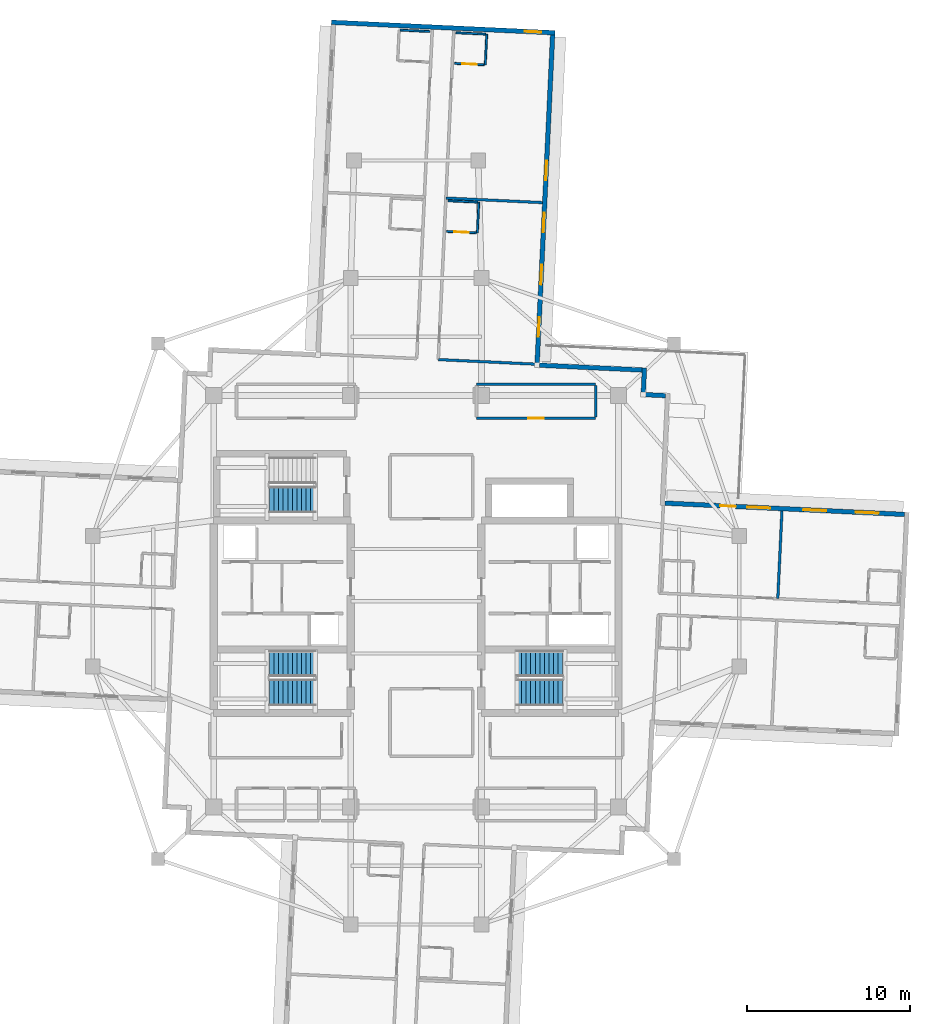
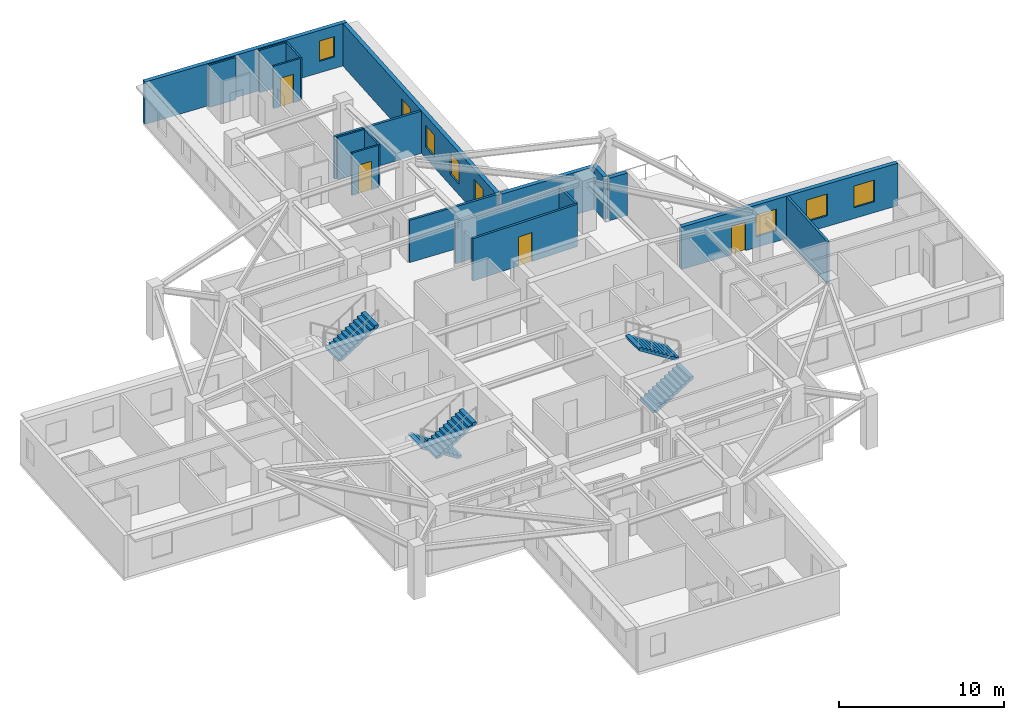
# One storey, part 8 of 13: 19 walls, 8 windows, 5 stair flights, 4 doors, 12 openings, 3 elements without a shape of their own.
"""IFC4 building model written with IfcOpenShell, lengths in metres."""

from ifc_helpers import new_model, si_unit, direction, frame, frame_2d, origin, place, context, subcontext, project, spatial, polyline, rectangle, outline, extrude, material, layer, layer_set, type_object, element, fill, aggregate, save


model = new_model("IFC4")

# Units and contexts
model_context = context("Model", 3, precision=1e-05, world=origin(), true_north=direction((0.0, 1.0)))
body_context = subcontext(model_context, "Body", "Model", "MODEL_VIEW")
ifc_project = project(units=[si_unit("LENGTHUNIT", "METRE"), si_unit("AREAUNIT", "SQUARE_METRE"), si_unit("VOLUMEUNIT", "CUBIC_METRE"), si_unit("PLANEANGLEUNIT", "RADIAN"), si_unit("MASSUNIT", "GRAM", prefix="KILO")], contexts=[model_context])

# Site, building, storey
site_placement = place(None, origin())
site = spatial("IfcSite", under=ifc_project, at=site_placement, CompositionType="ELEMENT")
building_placement = place(site_placement, origin())
building = spatial("IfcBuilding", under=site, at=building_placement, Name="Qingluan Cross Belvedere", CompositionType="ELEMENT")
storey_placement = place(building_placement, frame((0.0, 0.0, 236.39990234375)))
storey = spatial("IfcBuildingStorey", under=building, at=storey_placement, Name="L59", CompositionType="ELEMENT", Elevation=236.39990234375)

# Wall, opening, door
ifc_material_1 = material(Name="Gypsum plasterboard on steel stud acoustic partition", Category="steel")
ifc_layer_1 = layer(ifc_material_1, 0.159912109375, Name="CorridorPartition_160")
ifc_layer_set_1 = layer_set([ifc_layer_1], Name="Gypsum plasterboard on steel stud acoustic partition")
wall_type_1 = type_object("IfcWallType", Name="CorridorPartition_160", PredefinedType="PARTITIONING", material=ifc_layer_set_1)
wall_1_placement = place(storey_placement, frame((3.699951171875, 11.199951171875, 0.0), z_axis=(0.0, 0.0, 1.0), x_axis=(1.0, 0.0, 0.0)))
wall_1 = element("IfcWall", 1, at=wall_1_placement, inside=storey, type_object=wall_type_1, Name="Partition L59:q_ne:S", PredefinedType="PARTITIONING", context=body_context, shape_type="SweptSolid", body=[
    extrude(rectangle(XDim=7.300048828125, YDim=0.159912109375, at=frame_2d((3.64990234375, 0.0))), origin(), (0.0, 0.0, 1.0), 3.1201171875),
])
opening_1_placement = place(wall_1_placement, frame((3.169921875, 0.0, 0.0)))
opening_1 = element("IfcOpeningElement", 2, at=opening_1_placement, cuts=wall_1, Name="Opening GD-10", PredefinedType="OPENING", context=body_context, shape_type="SweptSolid", body=[
    extrude(rectangle(XDim=0.9599609375, YDim=2.14990234375, at=frame_2d((0.47998046875, 1.074951171875))), frame((0.0, 0.08984375, 0.0), z_axis=(0.0, -1.0, 0.0), x_axis=(1.0, 0.0, 0.0)), (0.0, 0.0, 1.0), 0.179931640625),
])
ifc_material_2 = material(Name="Timber oak fire-rated acoustic guestroom door", Category="wood")
door_type_1 = type_object("IfcDoorType", Name="GuestEntryDoor_FD60", OperationType="NOTDEFINED", PredefinedType="DOOR", material=ifc_material_2)
door_1_placement = place(opening_1_placement, origin())
door_1 = element("IfcDoor", 3, at=door_1_placement, inside=storey, type_object=door_type_1, Name="Executive dining room L59 door", OperationType="SINGLE_SWING_LEFT", OverallHeight=2.14990234375, OverallWidth=0.9599609375, PredefinedType="DOOR", context=body_context, shape_type="SweptSolid", body=[
    extrude(rectangle(XDim=0.9599609375, YDim=2.14990234375, at=frame_2d((0.47998046875, 1.074951171875))), frame((0.0, 0.02490234375, 0.0), z_axis=(0.0, -1.0, 0.0), x_axis=(1.0, 0.0, 0.0)), (0.0, 0.0, 1.0), 0.050048828125),
])
fill(opening_1, door_1)

# Walls
wall_2_placement = place(storey_placement, frame((3.699951171875, 13.300048828125, 0.0), z_axis=(0.0, 0.0, 1.0), x_axis=(1.0, 0.0, 0.0)))
element("IfcWall", 4, at=wall_2_placement, inside=storey, type_object=wall_type_1, Name="Partition L59:q_ne:N", PredefinedType="PARTITIONING", context=body_context, shape_type="SweptSolid", body=[
    extrude(rectangle(XDim=7.300048828125, YDim=0.159912109375, at=frame_2d((3.64990234375, 0.0))), origin(), (0.0, 0.0, 1.0), 3.1201171875),
])
wall_3_placement = place(storey_placement, frame((11.0, 11.284912109375, 0.0), z_axis=(0.0, 0.0, 1.0), x_axis=(0.0, 1.0, 0.0)))
element("IfcWall", 5, at=wall_3_placement, inside=storey, type_object=wall_type_1, Name="Partition L59:q_ne:E", PredefinedType="PARTITIONING", context=body_context, shape_type="SweptSolid", body=[
    extrude(rectangle(XDim=1.93017578125, YDim=0.159912109375, at=frame_2d((0.965087890625, 0.0))), origin(), (0.0, 0.0, 1.0), 3.1201171875),
])
wall_4_placement = place(storey_placement, frame((22.156005859375, 0.156494140625, 0.0), z_axis=(0.0, 0.0, 1.0), x_axis=(0.04708362643, 0.998890951066, 0.0)))
element("IfcWall", 6, at=wall_4_placement, inside=storey, type_object=wall_type_1, Name="Partition L59:E:d0_0", PredefinedType="PARTITIONING", context=body_context, shape_type="SweptSolid", body=[
    extrude(rectangle(XDim=5.371826171875, YDim=0.159912109375, at=frame_2d((2.68603515625, 0.0))), origin(), (0.0, 0.0, 1.0), 3.1201171875),
])
wall_5_placement = place(storey_placement, frame((1.35888671875, 14.802490234375, 0.0), z_axis=(0.0, 0.0, 1.0), x_axis=(0.998890358992, -0.047096185757, 0.0)))
element("IfcWall", 7, at=wall_5_placement, inside=storey, type_object=wall_type_1, Name="Partition L59:N:s0", PredefinedType="PARTITIONING", context=body_context, shape_type="SweptSolid", body=[
    extrude(rectangle(XDim=6.06005859375, YDim=0.159912109375, at=frame_2d((3.030029296875, 0.0))), origin(), (0.0, 0.0, 1.0), 3.1201171875),
])
wall_6_placement = place(storey_placement, frame((1.825439453125, 24.6962890625, 0.0), z_axis=(0.0, 0.0, 1.0), x_axis=(0.998891190356, -0.04707854957, 0.0)))
element("IfcWall", 8, at=wall_6_placement, inside=storey, type_object=wall_type_1, Name="Partition L59:N:d0_0", PredefinedType="PARTITIONING", context=body_context, shape_type="SweptSolid", body=[
    extrude(rectangle(XDim=5.911865234375, YDim=0.159912109375, at=frame_2d((2.9560546875, 0.0))), origin(), (0.0, 0.0, 1.0), 3.1201171875),
])

# Wall, opening, door
ifc_material_3 = material(Name="Moisture-resistant gypsum board lining")
ifc_layer_2 = layer(ifc_material_3, 0.1201171875, Name="EnsuiteWetPartition_120")
ifc_layer_set_2 = layer_set([ifc_layer_2], Name="Moisture-resistant gypsum board lining")
wall_type_2 = type_object("IfcWallType", Name="EnsuiteWetPartition_120", PredefinedType="PARTITIONING", material=ifc_layer_set_2)
wall_7_placement = place(storey_placement, frame((1.869140625, 22.652099609375, 0.0), z_axis=(0.0, 0.0, 1.0), x_axis=(0.998890786574, -0.047087116047, 0.0)))
wall_7 = element("IfcWall", 9, at=wall_7_placement, inside=storey, type_object=wall_type_2, Name="Partition L59:N:bs0_0", PredefinedType="PARTITIONING", context=body_context, shape_type="SweptSolid", body=[
    extrude(rectangle(XDim=1.81982421875, YDim=0.1201171875, at=frame_2d((0.909912109375, 0.0))), origin(), (0.0, 0.0, 1.0), 3.1201171875),
])
opening_2_placement = place(wall_7_placement, frame((0.469970703125, 0.0, 0.0)))
opening_2 = element("IfcOpeningElement", 10, at=opening_2_placement, cuts=wall_7, Name="Opening BD-09", PredefinedType="OPENING", context=body_context, shape_type="SweptSolid", body=[
    extrude(rectangle(XDim=0.8798828125, YDim=2.10009765625, at=frame_2d((0.43994140625, 1.050048828125))), frame((0.0, 0.070068359375, 0.0), z_axis=(0.0, -1.0, 0.0), x_axis=(1.0, 0.0, 0.0)), (0.0, 0.0, 1.0), 0.14013671875),
])
ifc_material_4 = material(Name="Moisture-sealed timber en-suite door", Category="wood")
door_type_2 = type_object("IfcDoorType", Name="BathroomDoor_880", OperationType="NOTDEFINED", PredefinedType="DOOR", material=ifc_material_4)
door_2_placement = place(opening_2_placement, origin())
door_2 = element("IfcDoor", 11, at=door_2_placement, inside=storey, type_object=door_type_2, Name="Bathroom door 5909", OperationType="SINGLE_SWING_LEFT", OverallHeight=2.10009765625, OverallWidth=0.8798828125, PredefinedType="DOOR", context=body_context, shape_type="SweptSolid", body=[
    extrude(rectangle(XDim=0.8798828125, YDim=2.10009765625, at=frame_2d((0.43994140625, 1.050048828125))), frame((0.0, 0.02490234375, 0.0), z_axis=(0.0, -1.0, 0.0), x_axis=(1.0, 0.0, 0.0)), (0.0, 0.0, 1.0), 0.050048828125),
])
fill(opening_2, door_2)

# Walls
wall_8_placement = place(storey_placement, frame((1.957763671875, 24.530029296875, 0.0), z_axis=(0.0, 0.0, 1.0), x_axis=(0.998890786574, -0.047087116047, 0.0)))
element("IfcWall", 12, at=wall_8_placement, inside=storey, type_object=wall_type_2, Name="Partition L59:N:bw0_0", PredefinedType="PARTITIONING", context=body_context, shape_type="SweptSolid", body=[
    extrude(rectangle(XDim=1.81982421875, YDim=0.1201171875, at=frame_2d((0.909912109375, 0.0))), origin(), (0.0, 0.0, 1.0), 3.1201171875),
])
wall_9_placement = place(storey_placement, frame((3.751953125, 22.563232421875, 0.0), z_axis=(0.0, 0.0, 1.0), x_axis=(0.047139425368, 0.998888319371, 0.0)))
element("IfcWall", 13, at=wall_9_placement, inside=storey, type_object=wall_type_2, Name="Partition L59:N:bn0_0", PredefinedType="PARTITIONING", context=body_context, shape_type="SweptSolid", body=[
    extrude(rectangle(XDim=1.880126953125, YDim=0.1201171875, at=frame_2d((0.93994140625, 0.0))), origin(), (0.0, 0.0, 1.0), 3.1201171875),
])

# Wall, opening, door
wall_10_placement = place(storey_placement, frame((2.3544921875, 32.94580078125, 0.0), z_axis=(0.0, 0.0, 1.0), x_axis=(0.998884766924, -0.047214641863, 0.0)))
wall_10 = element("IfcWall", 14, at=wall_10_placement, inside=storey, type_object=wall_type_2, Name="Partition L59:N:bs0_1", PredefinedType="PARTITIONING", context=body_context, shape_type="SweptSolid", body=[
    extrude(rectangle(XDim=1.820068359375, YDim=0.1201171875, at=frame_2d((0.91015625, 0.0))), origin(), (0.0, 0.0, 1.0), 3.1201171875),
])
opening_3_placement = place(wall_10_placement, frame((0.469970703125, 0.0, 0.0)))
opening_3 = element("IfcOpeningElement", 15, at=opening_3_placement, cuts=wall_10, Name="Opening BD-09", PredefinedType="OPENING", context=body_context, shape_type="SweptSolid", body=[
    extrude(rectangle(XDim=0.8798828125, YDim=2.10009765625, at=frame_2d((0.43994140625, 1.050048828125))), frame((0.0, 0.070068359375, 0.0), z_axis=(0.0, -1.0, 0.0), x_axis=(1.0, 0.0, 0.0)), (0.0, 0.0, 1.0), 0.14013671875),
])
door_3_placement = place(opening_3_placement, origin())
door_3 = element("IfcDoor", 16, at=door_3_placement, inside=storey, type_object=door_type_2, Name="Bathroom door 5910", OperationType="SINGLE_SWING_LEFT", OverallHeight=2.10009765625, OverallWidth=0.8798828125, PredefinedType="DOOR", context=body_context, shape_type="SweptSolid", body=[
    extrude(rectangle(XDim=0.8798828125, YDim=2.10009765625, at=frame_2d((0.43994140625, 1.050048828125))), frame((0.0, 0.02490234375, 0.0), z_axis=(0.0, -1.0, 0.0), x_axis=(1.0, 0.0, 0.0)), (0.0, 0.0, 1.0), 0.050048828125),
])
fill(opening_3, door_3)

# Walls
wall_11_placement = place(storey_placement, frame((2.443115234375, 34.823486328125, 0.0), z_axis=(0.0, 0.0, 1.0), x_axis=(0.998890786574, -0.047087116047, 0.0)))
element("IfcWall", 17, at=wall_11_placement, inside=storey, type_object=wall_type_2, Name="Partition L59:N:bw0_1", PredefinedType="PARTITIONING", context=body_context, shape_type="SweptSolid", body=[
    extrude(rectangle(XDim=1.81982421875, YDim=0.1201171875, at=frame_2d((0.909912109375, 0.0))), origin(), (0.0, 0.0, 1.0), 3.1201171875),
])
wall_12_placement = place(storey_placement, frame((4.237548828125, 32.85693359375, 0.0), z_axis=(0.0, 0.0, 1.0), x_axis=(0.04700985207, 0.998894425757, 0.0)))
element("IfcWall", 18, at=wall_12_placement, inside=storey, type_object=wall_type_2, Name="Partition L59:N:bn0_1", PredefinedType="PARTITIONING", context=body_context, shape_type="SweptSolid", body=[
    extrude(rectangle(XDim=1.880126953125, YDim=0.1201171875, at=frame_2d((0.93994140625, 0.0))), origin(), (0.0, 0.0, 1.0), 3.1201171875),
])
wall_13_placement = place(storey_placement, frame((-0.97314453125, 34.984619140625, 0.0), z_axis=(0.0, 0.0, 1.0), x_axis=(0.998891083954, -0.047080807099, 0.0)))
element("IfcWall", 19, at=wall_13_placement, inside=storey, type_object=wall_type_2, Name="Partition L59:N:bw1_1", PredefinedType="PARTITIONING", context=body_context, shape_type="SweptSolid", body=[
    extrude(rectangle(XDim=1.820068359375, YDim=0.1201171875, at=frame_2d((0.91015625, 0.0))), origin(), (0.0, 0.0, 1.0), 3.1201171875),
])

# Wall, openings, windows, door
ifc_material_5 = material(Name="Precast concrete C45", Category="concrete")
ifc_layer_3 = layer(ifc_material_5, 0.280029296875, Name="PrecastFacadeWall_280")
ifc_layer_set_3 = layer_set([ifc_layer_3], Name="Precast concrete C45")
wall_type_3 = type_object("IfcWallType", Name="PrecastFacadeWall_280", PredefinedType="STANDARD", material=ifc_layer_set_3)
wall_14_placement = place(storey_placement, frame((29.923583984375, 5.31640625, 0.0), z_axis=(0.0, 0.0, 1.0), x_axis=(-0.998890124275, 0.047101163748, 0.0)))
wall_14 = element("IfcWall", 20, at=wall_14_placement, inside=storey, type_object=wall_type_3, Name="Facade wall L59-EB", PredefinedType="STANDARD", context=body_context, shape_type="SweptSolid", body=[
    extrude(rectangle(XDim=14.699951171875, YDim=0.280029296875, at=frame_2d((7.35009765625, 0.0))), origin(), (0.0, 0.0, 1.0), 3.130126953125),
])
opening_4_placement = place(wall_14_placement, frame((1.60009765625, 0.0, 0.800048828125)))
opening_4 = element("IfcOpeningElement", 21, at=opening_4_placement, cuts=wall_14, Name="Opening W-01", PredefinedType="OPENING", context=body_context, shape_type="SweptSolid", body=[
    extrude(rectangle(XDim=1.39990234375, YDim=1.60009765625, at=frame_2d((0.699951171875, 0.800048828125))), frame((0.0, 0.14990234375, 0.0), z_axis=(0.0, -1.0, 0.0), x_axis=(1.0, 0.0, 0.0)), (0.0, 0.0, 1.0), 0.300048828125),
])
opening_5_placement = place(wall_14_placement, frame((4.800048828125, 0.0, 0.800048828125)))
opening_5 = element("IfcOpeningElement", 22, at=opening_5_placement, cuts=wall_14, Name="Opening W-01", PredefinedType="OPENING", context=body_context, shape_type="SweptSolid", body=[
    extrude(rectangle(XDim=1.39990234375, YDim=1.60009765625, at=frame_2d((0.699951171875, 0.800048828125))), frame((0.0, 0.14990234375, 0.0), z_axis=(0.0, -1.0, 0.0), x_axis=(1.0, 0.0, 0.0)), (0.0, 0.0, 1.0), 0.300048828125),
])
opening_6_placement = place(wall_14_placement, frame((8.25, 0.0, 0.800048828125)))
opening_6 = element("IfcOpeningElement", 23, at=opening_6_placement, cuts=wall_14, Name="Opening W-01", PredefinedType="OPENING", context=body_context, shape_type="SweptSolid", body=[
    extrude(rectangle(XDim=1.39990234375, YDim=1.60009765625, at=frame_2d((0.699951171875, 0.800048828125))), frame((0.0, 0.14990234375, 0.0), z_axis=(0.0, -1.0, 0.0), x_axis=(1.0, 0.0, 0.0)), (0.0, 0.0, 1.0), 0.300048828125),
])
opening_7_placement = place(wall_14_placement, frame((10.35009765625, 0.0, 0.0)))
opening_7 = element("IfcOpeningElement", 24, at=opening_7_placement, cuts=wall_14, Name="Opening WD-10", PredefinedType="OPENING", context=body_context, shape_type="SweptSolid", body=[
    extrude(rectangle(XDim=0.9599609375, YDim=2.10009765625, at=frame_2d((0.47998046875, 1.050048828125))), frame((0.0, 0.14990234375, 0.0), z_axis=(0.0, -1.0, 0.0), x_axis=(1.0, 0.0, 0.0)), (0.0, 0.0, 1.0), 0.300048828125),
])
ifc_material_6 = material(Name="Thermally broken triple Low-E glass in aluminium frame", Category="aluminium")
window_type_1 = type_object("IfcWindowType", Name="TriRibbonWin_1400x1600", PartitioningType="SINGLE_PANEL", PredefinedType="WINDOW", material=ifc_material_6)
window_1_placement = place(opening_4_placement, origin())
window_1 = element("IfcWindow", 25, at=window_1_placement, inside=storey, type_object=window_type_1, Name="Ribbon window L59-EB-1", OverallHeight=1.60009765625, OverallWidth=1.39990234375, PartitioningType="SINGLE_PANEL", PredefinedType="WINDOW", context=body_context, shape_type="SweptSolid", body=[
    extrude(rectangle(XDim=1.39990234375, YDim=1.60009765625, at=frame_2d((0.699951171875, 0.800048828125))), frame((0.0, 0.030029296875, 0.0), z_axis=(0.0, -1.0, 0.0), x_axis=(1.0, 0.0, 0.0)), (0.0, 0.0, 1.0), 0.06005859375),
])
fill(opening_4, window_1)
window_2_placement = place(opening_5_placement, origin())
window_2 = element("IfcWindow", 26, at=window_2_placement, inside=storey, type_object=window_type_1, Name="Ribbon window L59-EB-2", OverallHeight=1.60009765625, OverallWidth=1.39990234375, PartitioningType="SINGLE_PANEL", PredefinedType="WINDOW", context=body_context, shape_type="SweptSolid", body=[
    extrude(rectangle(XDim=1.39990234375, YDim=1.60009765625, at=frame_2d((0.699951171875, 0.800048828125))), frame((0.0, 0.030029296875, 0.0), z_axis=(0.0, -1.0, 0.0), x_axis=(1.0, 0.0, 0.0)), (0.0, 0.0, 1.0), 0.06005859375),
])
fill(opening_5, window_2)
window_3_placement = place(opening_6_placement, origin())
window_3 = element("IfcWindow", 27, at=window_3_placement, inside=storey, type_object=window_type_1, Name="Ribbon window L59-EB-3", OverallHeight=1.60009765625, OverallWidth=1.39990234375, PartitioningType="SINGLE_PANEL", PredefinedType="WINDOW", context=body_context, shape_type="SweptSolid", body=[
    extrude(rectangle(XDim=1.39990234375, YDim=1.60009765625, at=frame_2d((0.699951171875, 0.800048828125))), frame((0.0, 0.030029296875, 0.0), z_axis=(0.0, -1.0, 0.0), x_axis=(1.0, 0.0, 0.0)), (0.0, 0.0, 1.0), 0.06005859375),
])
fill(opening_6, window_3)
ifc_material_7 = material(Name="Thermally broken aluminium and Low-E glass", Category="aluminium")
door_type_3 = type_object("IfcDoorType", Name="WinterGardenDoor_096", OperationType="NOTDEFINED", PredefinedType="DOOR", material=ifc_material_7)
door_4_placement = place(opening_7_placement, origin())
door_4 = element("IfcDoor", 28, at=door_4_placement, inside=storey, type_object=door_type_3, Name="Outdoor terrace access door L59-spi", OperationType="SINGLE_SWING_LEFT", OverallHeight=2.10009765625, OverallWidth=0.9599609375, PredefinedType="DOOR", context=body_context, shape_type="SweptSolid", body=[
    extrude(rectangle(XDim=0.9599609375, YDim=2.10009765625, at=frame_2d((0.47998046875, 1.050048828125))), frame((0.0, 0.02490234375, 0.0), z_axis=(0.0, -1.0, 0.0), x_axis=(1.0, 0.0, 0.0)), (0.0, 0.0, 1.0), 0.050048828125),
])
fill(opening_7, door_4)

# Wall, openings, windows
wall_15_placement = place(storey_placement, frame((7.416259765625, 14.60693359375, 0.0), z_axis=(0.0, 0.0, 1.0), x_axis=(0.047103473814, 0.998890015344, 0.0)))
wall_15 = element("IfcWall", 29, at=wall_15_placement, inside=storey, type_object=wall_type_3, Name="Facade wall L59-NA", PredefinedType="STANDARD", context=body_context, shape_type="SweptSolid", body=[
    extrude(rectangle(XDim=20.099853515625, YDim=0.280029296875, at=frame_2d((10.0498046875, 0.0))), origin(), (0.0, 0.0, 1.0), 3.130126953125),
])
opening_8_placement = place(wall_15_placement, frame((1.60009765625, 0.0, 0.800048828125)))
opening_8 = element("IfcOpeningElement", 30, at=opening_8_placement, cuts=wall_15, Name="Opening W-02", PredefinedType="OPENING", context=body_context, shape_type="SweptSolid", body=[
    extrude(rectangle(XDim=1.199951171875, YDim=1.60009765625, at=frame_2d((0.60009765625, 0.800048828125))), frame((0.0, 0.14990234375, 0.0), z_axis=(0.0, -1.0, 0.0), x_axis=(1.0, 0.0, 0.0)), (0.0, 0.0, 1.0), 0.300048828125),
])
opening_9_placement = place(wall_15_placement, frame((4.800048828125, 0.0, 0.800048828125)))
opening_9 = element("IfcOpeningElement", 31, at=opening_9_placement, cuts=wall_15, Name="Opening W-02", PredefinedType="OPENING", context=body_context, shape_type="SweptSolid", body=[
    extrude(rectangle(XDim=1.199951171875, YDim=1.60009765625, at=frame_2d((0.60009765625, 0.800048828125))), frame((0.0, 0.14990234375, 0.0), z_axis=(0.0, -1.0, 0.0), x_axis=(1.0, 0.0, 0.0)), (0.0, 0.0, 1.0), 0.300048828125),
])
opening_10_placement = place(wall_15_placement, frame((8.0, 0.0, 0.800048828125)))
opening_10 = element("IfcOpeningElement", 32, at=opening_10_placement, cuts=wall_15, Name="Opening W-02", PredefinedType="OPENING", context=body_context, shape_type="SweptSolid", body=[
    extrude(rectangle(XDim=1.199951171875, YDim=1.60009765625, at=frame_2d((0.60009765625, 0.800048828125))), frame((0.0, 0.14990234375, 0.0), z_axis=(0.0, -1.0, 0.0), x_axis=(1.0, 0.0, 0.0)), (0.0, 0.0, 1.0), 0.300048828125),
])
opening_11_placement = place(wall_15_placement, frame((11.199951171875, 0.0, 0.800048828125)))
opening_11 = element("IfcOpeningElement", 33, at=opening_11_placement, cuts=wall_15, Name="Opening W-02", PredefinedType="OPENING", context=body_context, shape_type="SweptSolid", body=[
    extrude(rectangle(XDim=1.199951171875, YDim=1.60009765625, at=frame_2d((0.60009765625, 0.800048828125))), frame((0.0, 0.14990234375, 0.0), z_axis=(0.0, -1.0, 0.0), x_axis=(1.0, 0.0, 0.0)), (0.0, 0.0, 1.0), 0.300048828125),
])
ifc_material_8 = material(Name="Thermally broken triple Low-E glass in aluminium frame", Category="aluminium")
window_type_2 = type_object("IfcWindowType", Name="TriRibbonWin_1200x1600", PartitioningType="SINGLE_PANEL", PredefinedType="WINDOW", material=ifc_material_8)
window_4_placement = place(opening_8_placement, origin())
window_4 = element("IfcWindow", 34, at=window_4_placement, inside=storey, type_object=window_type_2, Name="Ribbon window L59-NA-1", OverallHeight=1.60009765625, OverallWidth=1.199951171875, PartitioningType="SINGLE_PANEL", PredefinedType="WINDOW", context=body_context, shape_type="SweptSolid", body=[
    extrude(rectangle(XDim=1.199951171875, YDim=1.60009765625, at=frame_2d((0.60009765625, 0.800048828125))), frame((0.0, 0.030029296875, 0.0), z_axis=(0.0, -1.0, 0.0), x_axis=(1.0, 0.0, 0.0)), (0.0, 0.0, 1.0), 0.06005859375),
])
fill(opening_8, window_4)
window_5_placement = place(opening_9_placement, origin())
window_5 = element("IfcWindow", 35, at=window_5_placement, inside=storey, type_object=window_type_2, Name="Ribbon window L59-NA-2", OverallHeight=1.60009765625, OverallWidth=1.199951171875, PartitioningType="SINGLE_PANEL", PredefinedType="WINDOW", context=body_context, shape_type="SweptSolid", body=[
    extrude(rectangle(XDim=1.199951171875, YDim=1.60009765625, at=frame_2d((0.60009765625, 0.800048828125))), frame((0.0, 0.030029296875, 0.0), z_axis=(0.0, -1.0, 0.0), x_axis=(1.0, 0.0, 0.0)), (0.0, 0.0, 1.0), 0.06005859375),
])
fill(opening_9, window_5)
window_6_placement = place(opening_10_placement, origin())
window_6 = element("IfcWindow", 36, at=window_6_placement, inside=storey, type_object=window_type_2, Name="Ribbon window L59-NA-3", OverallHeight=1.60009765625, OverallWidth=1.199951171875, PartitioningType="SINGLE_PANEL", PredefinedType="WINDOW", context=body_context, shape_type="SweptSolid", body=[
    extrude(rectangle(XDim=1.199951171875, YDim=1.60009765625, at=frame_2d((0.60009765625, 0.800048828125))), frame((0.0, 0.030029296875, 0.0), z_axis=(0.0, -1.0, 0.0), x_axis=(1.0, 0.0, 0.0)), (0.0, 0.0, 1.0), 0.06005859375),
])
fill(opening_10, window_6)
window_7_placement = place(opening_11_placement, origin())
window_7 = element("IfcWindow", 37, at=window_7_placement, inside=storey, type_object=window_type_2, Name="Ribbon window L59-NA-4", OverallHeight=1.60009765625, OverallWidth=1.199951171875, PartitioningType="SINGLE_PANEL", PredefinedType="WINDOW", context=body_context, shape_type="SweptSolid", body=[
    extrude(rectangle(XDim=1.199951171875, YDim=1.60009765625, at=frame_2d((0.60009765625, 0.800048828125))), frame((0.0, 0.030029296875, 0.0), z_axis=(0.0, -1.0, 0.0), x_axis=(1.0, 0.0, 0.0)), (0.0, 0.0, 1.0), 0.06005859375),
])
fill(opening_11, window_7)

# Wall, opening, window
wall_16_placement = place(storey_placement, frame((8.509521484375, 34.81787109375, 0.0), z_axis=(0.0, 0.0, 1.0), x_axis=(-0.998890092147, 0.047101845086, 0.0)))
wall_16 = element("IfcWall", 38, at=wall_16_placement, inside=storey, type_object=wall_type_3, Name="Arm tip precast facade wall L59-N", PredefinedType="STANDARD", context=body_context, shape_type="SweptSolid", body=[
    extrude(rectangle(XDim=13.719970703125, YDim=0.280029296875, at=frame_2d((6.85986328125, 0.0))), origin(), (0.0, 0.0, 1.0), 3.130126953125),
])
opening_12_placement = place(wall_16_placement, frame((0.85009765625, 0.0, 0.85009765625)))
opening_12 = element("IfcOpeningElement", 39, at=opening_12_placement, cuts=wall_16, Name="Opening W-03", PredefinedType="OPENING", context=body_context, shape_type="SweptSolid", body=[
    extrude(rectangle(XDim=1.0, YDim=1.5, at=frame_2d((0.5, 0.75))), frame((0.0, 0.14990234375, 0.0), z_axis=(0.0, -1.0, 0.0), x_axis=(1.0, 0.0, 0.0)), (0.0, 0.0, 1.0), 0.300048828125),
])
ifc_material_9 = material(Name="Thermally broken triple Low-E glass in aluminium frame", Category="aluminium")
window_type_3 = type_object("IfcWindowType", Name="TriApexWin_1000x1500", PartitioningType="SINGLE_PANEL", PredefinedType="WINDOW", material=ifc_material_9)
window_8_placement = place(opening_12_placement, origin())
window_8 = element("IfcWindow", 40, at=window_8_placement, inside=storey, type_object=window_type_3, Name="Arm tip triangular window L59-N", OverallHeight=1.5, OverallWidth=1.0, PartitioningType="SINGLE_PANEL", PredefinedType="WINDOW", context=body_context, shape_type="SweptSolid", body=[
    extrude(rectangle(XDim=1.0, YDim=1.5, at=frame_2d((0.5, 0.75))), frame((0.0, 0.030029296875, 0.0), z_axis=(0.0, -1.0, 0.0), x_axis=(1.0, 0.0, 0.0)), (0.0, 0.0, 1.0), 0.06005859375),
])
fill(opening_12, window_8)

# Walls
wall_17_placement = place(storey_placement, frame((15.270263671875, 12.5947265625, 0.0), z_axis=(0.0, 0.0, 1.0), x_axis=(-0.998893795343, 0.047023245574, 0.0)))
element("IfcWall", 41, at=wall_17_placement, inside=storey, type_object=wall_type_3, Name="Corner wall L59-NE2", PredefinedType="STANDARD", context=body_context, shape_type="SweptSolid", body=[
    extrude(rectangle(XDim=1.22021484375, YDim=0.280029296875, at=frame_2d((0.610107421875, 0.0))), origin(), (0.0, 0.0, 1.0), 3.130126953125),
])
wall_18_placement = place(storey_placement, frame((13.918212890625, 12.798583984375, 0.0), z_axis=(0.0, 0.0, 1.0), x_axis=(0.047201688113, 0.99888537913, 0.0)))
element("IfcWall", 42, at=wall_18_placement, inside=storey, type_object=wall_type_3, Name="Corner wall L59-NE3", PredefinedType="STANDARD", context=body_context, shape_type="SweptSolid", body=[
    extrude(rectangle(XDim=1.5, YDim=0.280029296875, at=frame_2d((0.75, 0.0))), origin(), (0.0, 0.0, 1.0), 3.130126953125),
])
wall_19_placement = place(storey_placement, frame((13.842529296875, 14.16357421875, 0.0), z_axis=(0.0, 0.0, 1.0), x_axis=(-0.998889082162, 0.047123258997, 0.0)))
element("IfcWall", 43, at=wall_19_placement, inside=storey, type_object=wall_type_3, Name="Corner wall L59-NE4", PredefinedType="STANDARD", context=body_context, shape_type="SweptSolid", body=[
    extrude(rectangle(XDim=6.300048828125, YDim=0.280029296875, at=frame_2d((3.14990234375, 0.0))), origin(), (0.0, 0.0, 1.0), 3.130126953125),
])

# Stair, stair flights
ifc_material_10 = material(Name="Concrete C40", Category="concrete")
stair_type = type_object("IfcStairType", Name="CoreDoglegStair_1620", PredefinedType="HALF_TURN_STAIR", material=ifc_material_10)
stair_1_placement = place(storey_placement, origin())
stair_1 = element("IfcStair", 44, at=stair_1_placement, inside=storey, type_object=stair_type, Name="L59 ST1", PredefinedType="HALF_TURN_STAIR")
ifc_material_11 = material(Name="Concrete C40", Category="concrete")
ifc_layer_4 = layer(ifc_material_11, 0.179931640625, Name="StairFlight_RC180")
ifc_layer_set_4 = layer_set([ifc_layer_4], Name="Concrete C40")
stair_flight_type = type_object("IfcStairFlightType", Name="StairFlight_RC180", PredefinedType="STRAIGHT", material=ifc_layer_set_4)
stair_flight_1_placement = place(storey_placement, frame((-6.179931640625, -3.81005859375, 0.0), z_axis=(0.0, 0.0, 1.0), x_axis=(-1.0, 0.0, 0.0)))
stair_flight_1 = element("IfcStairFlight", 45, at=stair_flight_1_placement, type_object=stair_flight_type, Name="ST1 flight 1", NumberOfRisers=11, NumberOfTreads=10, PredefinedType="STRAIGHT", RiserHeight=0.177272727, TreadLength=0.28, context=body_context, shape_type="SweptSolid", body=[
    extrude(outline(polyline([(0.0, 0.0), (0.0, 0.17724609375), (0.280029296875, 0.17724609375), (0.280029296875, 0.3544921875), (0.56005859375, 0.3544921875), (0.56005859375, 0.53173828125), (0.840087890625, 0.53173828125), (0.840087890625, 0.708984375), (1.1201171875, 0.708984375), (1.1201171875, 0.886474609375), (1.39990234375, 0.886474609375), (1.39990234375, 1.063720703125), (1.679931640625, 1.063720703125), (1.679931640625, 1.240966796875), (1.9599609375, 1.240966796875), (1.9599609375, 1.418212890625), (2.239990234375, 1.418212890625), (2.239990234375, 1.595458984375), (2.52001953125, 1.595458984375), (2.52001953125, 1.772705078125), (2.800048828125, 1.772705078125), (2.800048828125, 1.949951171875), (2.800048828125, 1.59521484375), (0.2802734375, 0.0), (0.0, 0.0)])), frame((0.0, 0.81005859375, 0.0), z_axis=(0.0, -1.0, 0.0), x_axis=(1.0, 0.0, 0.0)), (0.0, 0.0, 1.0), 1.6201171875),
])
stair_flight_2_placement = place(storey_placement, frame((-8.97998046875, -5.590087890625, 1.9501953125), z_axis=(0.0, 0.0, 1.0), x_axis=(1.0, 0.0, 0.0)))
stair_flight_2 = element("IfcStairFlight", 46, at=stair_flight_2_placement, type_object=stair_flight_type, Name="ST1 flight 2", NumberOfRisers=11, NumberOfTreads=10, PredefinedType="STRAIGHT", RiserHeight=0.177272727, TreadLength=0.28, context=body_context, shape_type="SweptSolid", body=[
    extrude(outline(polyline([(0.0, 0.0), (0.0, 0.17724609375), (0.280029296875, 0.17724609375), (0.280029296875, 0.3544921875), (0.56005859375, 0.3544921875), (0.56005859375, 0.53173828125), (0.840087890625, 0.53173828125), (0.840087890625, 0.708984375), (1.1201171875, 0.708984375), (1.1201171875, 0.886474609375), (1.39990234375, 0.886474609375), (1.39990234375, 1.063720703125), (1.679931640625, 1.063720703125), (1.679931640625, 1.240966796875), (1.9599609375, 1.240966796875), (1.9599609375, 1.418212890625), (2.239990234375, 1.418212890625), (2.239990234375, 1.595458984375), (2.52001953125, 1.595458984375), (2.52001953125, 1.772705078125), (2.800048828125, 1.772705078125), (2.800048828125, 1.949951171875), (2.800048828125, 1.59521484375), (0.2802734375, 0.0), (0.0, 0.0)])), frame((0.0, 0.81005859375, 0.0), z_axis=(0.0, -1.0, 0.0), x_axis=(1.0, 0.0, 0.0)), (0.0, 0.0, 1.0), 1.6201171875),
])
aggregate(stair_1, [stair_flight_1, stair_flight_2])

stair_2_placement = place(storey_placement, origin())
stair_2 = element("IfcStair", 47, at=stair_2_placement, inside=storey, type_object=stair_type, Name="L59 ST2", PredefinedType="HALF_TURN_STAIR")
stair_flight_3_placement = place(storey_placement, frame((6.179931640625, -5.590087890625, 0.0), z_axis=(0.0, 0.0, 1.0), x_axis=(1.0, 0.0, 0.0)))
stair_flight_3 = element("IfcStairFlight", 48, at=stair_flight_3_placement, type_object=stair_flight_type, Name="ST2 flight 1", NumberOfRisers=11, NumberOfTreads=10, PredefinedType="STRAIGHT", RiserHeight=0.177272727, TreadLength=0.28, context=body_context, shape_type="SweptSolid", body=[
    extrude(outline(polyline([(0.0, 0.0), (0.0, 0.17724609375), (0.280029296875, 0.17724609375), (0.280029296875, 0.3544921875), (0.56005859375, 0.3544921875), (0.56005859375, 0.53173828125), (0.840087890625, 0.53173828125), (0.840087890625, 0.708984375), (1.1201171875, 0.708984375), (1.1201171875, 0.886474609375), (1.39990234375, 0.886474609375), (1.39990234375, 1.063720703125), (1.679931640625, 1.063720703125), (1.679931640625, 1.240966796875), (1.9599609375, 1.240966796875), (1.9599609375, 1.418212890625), (2.239990234375, 1.418212890625), (2.239990234375, 1.595458984375), (2.52001953125, 1.595458984375), (2.52001953125, 1.772705078125), (2.800048828125, 1.772705078125), (2.800048828125, 1.949951171875), (2.800048828125, 1.59521484375), (0.2802734375, 0.0), (0.0, 0.0)])), frame((0.0, 0.81005859375, 0.0), z_axis=(0.0, -1.0, 0.0), x_axis=(1.0, 0.0, 0.0)), (0.0, 0.0, 1.0), 1.6201171875),
])
stair_flight_4_placement = place(storey_placement, frame((8.97998046875, -3.81005859375, 1.9501953125), z_axis=(0.0, 0.0, 1.0), x_axis=(-1.0, 0.0, 0.0)))
stair_flight_4 = element("IfcStairFlight", 49, at=stair_flight_4_placement, type_object=stair_flight_type, Name="ST2 flight 2", NumberOfRisers=11, NumberOfTreads=10, PredefinedType="STRAIGHT", RiserHeight=0.177272727, TreadLength=0.28, context=body_context, shape_type="SweptSolid", body=[
    extrude(outline(polyline([(0.0, 0.0), (0.0, 0.17724609375), (0.280029296875, 0.17724609375), (0.280029296875, 0.3544921875), (0.56005859375, 0.3544921875), (0.56005859375, 0.53173828125), (0.840087890625, 0.53173828125), (0.840087890625, 0.708984375), (1.1201171875, 0.708984375), (1.1201171875, 0.886474609375), (1.39990234375, 0.886474609375), (1.39990234375, 1.063720703125), (1.679931640625, 1.063720703125), (1.679931640625, 1.240966796875), (1.9599609375, 1.240966796875), (1.9599609375, 1.418212890625), (2.239990234375, 1.418212890625), (2.239990234375, 1.595458984375), (2.52001953125, 1.595458984375), (2.52001953125, 1.772705078125), (2.800048828125, 1.772705078125), (2.800048828125, 1.949951171875), (2.800048828125, 1.59521484375), (0.2802734375, 0.0), (0.0, 0.0)])), frame((0.0, 0.81005859375, 0.0), z_axis=(0.0, -1.0, 0.0), x_axis=(1.0, 0.0, 0.0)), (0.0, 0.0, 1.0), 1.6201171875),
])
aggregate(stair_2, [stair_flight_3, stair_flight_4])

# Stair, stair flight
stair_3_placement = place(storey_placement, origin())
stair_3 = element("IfcStair", 50, at=stair_3_placement, inside=storey, type_object=stair_type, Name="L59 ST3", PredefinedType="HALF_TURN_STAIR")
stair_flight_5_placement = place(storey_placement, frame((-8.97998046875, 6.22998046875, 1.9501953125), z_axis=(0.0, 0.0, 1.0), x_axis=(1.0, 0.0, 0.0)))
stair_flight_5 = element("IfcStairFlight", 51, at=stair_flight_5_placement, type_object=stair_flight_type, Name="ST3 flight 2", NumberOfRisers=11, NumberOfTreads=10, PredefinedType="STRAIGHT", RiserHeight=0.177272727, TreadLength=0.28, context=body_context, shape_type="SweptSolid", body=[
    extrude(outline(polyline([(0.0, 0.0), (0.0, 0.17724609375), (0.280029296875, 0.17724609375), (0.280029296875, 0.3544921875), (0.56005859375, 0.3544921875), (0.56005859375, 0.53173828125), (0.840087890625, 0.53173828125), (0.840087890625, 0.708984375), (1.1201171875, 0.708984375), (1.1201171875, 0.886474609375), (1.39990234375, 0.886474609375), (1.39990234375, 1.063720703125), (1.679931640625, 1.063720703125), (1.679931640625, 1.240966796875), (1.9599609375, 1.240966796875), (1.9599609375, 1.418212890625), (2.239990234375, 1.418212890625), (2.239990234375, 1.595458984375), (2.52001953125, 1.595458984375), (2.52001953125, 1.772705078125), (2.800048828125, 1.772705078125), (2.800048828125, 1.949951171875), (2.800048828125, 1.59521484375), (0.2802734375, 0.0), (0.0, 0.0)])), frame((0.0, 0.81005859375, 0.0), z_axis=(0.0, -1.0, 0.0), x_axis=(1.0, 0.0, 0.0)), (0.0, 0.0, 1.0), 1.6201171875),
])
aggregate(stair_3, [stair_flight_5])

save(model, "model.ifc")
